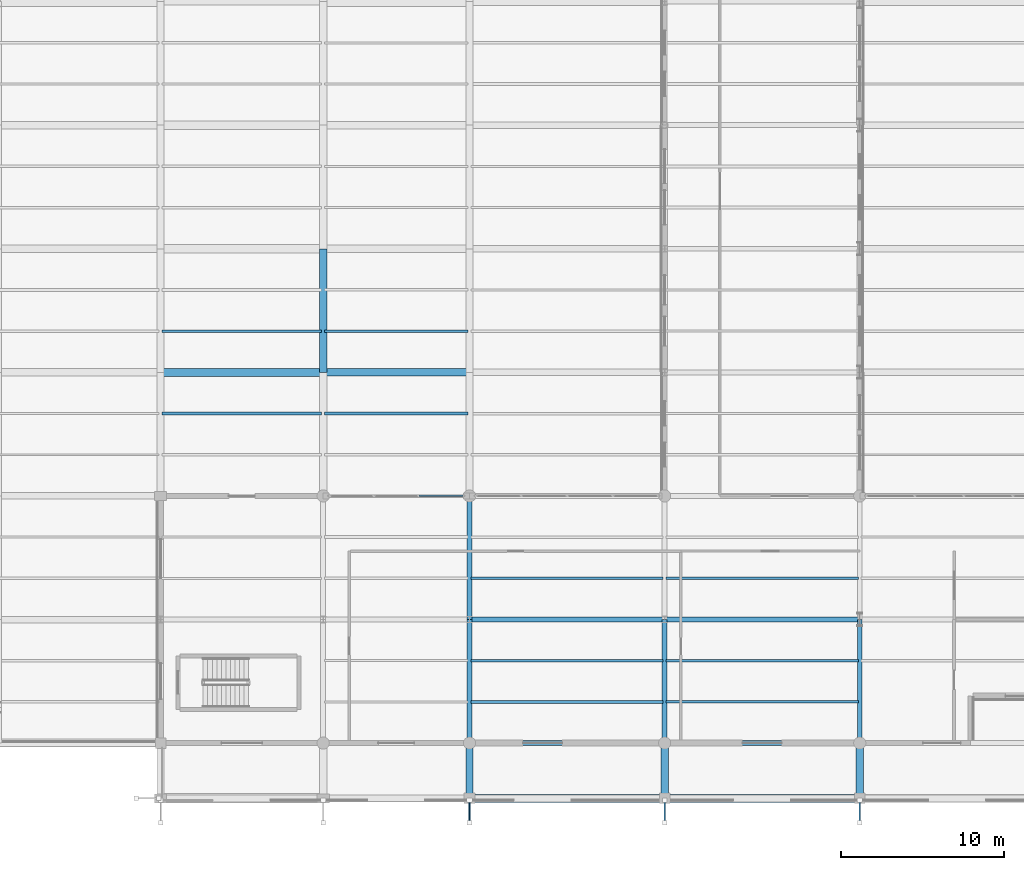
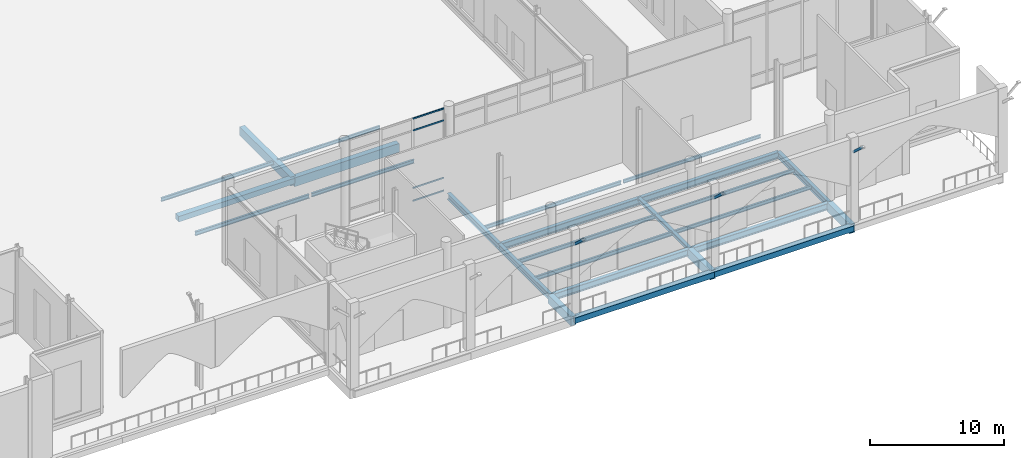
# One storey, part 81 of 176: 26 beams, 7 members, 1 element without a shape of its own.
"""IFC4 building model written with IfcOpenShell, lengths in metres."""

from ifc_helpers import new_model, si_unit, direction, frame, origin, origin_2d, place, context, subcontext, project, spatial, rectangle, hollow_rectangle, i_section, extrude, material, layer, layer_set, material_profile, profile_set, type_object, element, aggregate, save


model = new_model("IFC4")

# Units and contexts
model_context = context("Model", 3, precision=1e-05, world=origin(), true_north=direction((0.0, 1.0)))
body_context = subcontext(model_context, "Body", "Model", "MODEL_VIEW")
ifc_project = project(units=[si_unit("LENGTHUNIT", "METRE"), si_unit("AREAUNIT", "SQUARE_METRE"), si_unit("VOLUMEUNIT", "CUBIC_METRE"), si_unit("PLANEANGLEUNIT", "RADIAN"), si_unit("MASSUNIT", "GRAM", prefix="KILO")], contexts=[model_context])

# Site, building, storey
site_placement = place(None, origin())
site = spatial("IfcSite", under=ifc_project, at=site_placement, CompositionType="ELEMENT")
building_placement = place(site_placement, origin())
building = spatial("IfcBuilding", under=site, at=building_placement, Name="Vekula Escarpment Museum", CompositionType="ELEMENT")
storey_placement = place(building_placement, origin())
storey = spatial("IfcBuildingStorey", under=building, at=storey_placement, Name="L01", CompositionType="ELEMENT", Elevation=0.0)

# Beams
ifc_material_1 = material(Name="Steel S355", Category="steel")
ifc_material_profile_1 = material_profile(ifc_material_1, i_section(OverallWidth=0.300048828125, OverallDepth=0.550048828125, WebThickness=0.014892578125, FlangeThickness=0.029052734375, FilletRadius=0.027099609375, at=origin_2d()), Name="HEB 550")
ifc_profile_set_1 = profile_set([ifc_material_profile_1], Name="Steel S355")
beam_type_1 = type_object("IfcBeamType", Name="BM-GIRD-HEB550", PredefinedType="BEAM", material=ifc_profile_set_1)
beam_1_placement = place(storey_placement, frame((155.0, 0.0, -0.574951171875), z_axis=(0.0, 1.0, 0.0), x_axis=(-1.0, 0.0, 0.0)))
element("IfcBeam", 1, at=beam_1_placement, inside=storey, type_object=beam_type_1, Name="Beam Y L01 0706", PredefinedType="BEAM", context=body_context, shape_type="SweptSolid", body=[
    extrude(i_section(OverallWidth=0.300048828125, OverallDepth=0.550048828125, WebThickness=0.014892578125, FlangeThickness=0.029052734375, FilletRadius=0.027099609375, at=origin_2d()), origin(), (0.0, 0.0, 1.0), 7.60009765625),
])
beam_2_placement = place(storey_placement, frame((155.0, 7.60009765625, -0.574951171875), z_axis=(0.0, 1.0, 0.0), x_axis=(-1.0, 0.0, 0.0)))
element("IfcBeam", 2, at=beam_2_placement, inside=storey, type_object=beam_type_1, Name="Beam Y L01 0707", PredefinedType="BEAM", context=body_context, shape_type="SweptSolid", body=[
    extrude(i_section(OverallWidth=0.300048828125, OverallDepth=0.550048828125, WebThickness=0.014892578125, FlangeThickness=0.029052734375, FilletRadius=0.027099609375, at=origin_2d()), origin(), (0.0, 0.0, 1.0), 7.599853515625),
])
beam_3_placement = place(storey_placement, frame((179.0, 0.0, -0.574951171875), z_axis=(0.0, 1.0, 0.0), x_axis=(-1.0, 0.0, 0.0)))
element("IfcBeam", 3, at=beam_3_placement, inside=storey, type_object=beam_type_1, Name="Beam Y L01 0744", PredefinedType="BEAM", context=body_context, shape_type="SweptSolid", body=[
    extrude(i_section(OverallWidth=0.300048828125, OverallDepth=0.550048828125, WebThickness=0.014892578125, FlangeThickness=0.029052734375, FilletRadius=0.027099609375, at=origin_2d()), origin(), (0.0, 0.0, 1.0), 7.60009765625),
])
ifc_material_2 = material(Name="Steel S355", Category="steel")
ifc_material_profile_2 = material_profile(ifc_material_2, i_section(OverallWidth=0.300048828125, OverallDepth=0.60009765625, WebThickness=0.015380859375, FlangeThickness=0.030029296875, FilletRadius=0.027099609375, at=origin_2d()), Name="HEB 600")
ifc_profile_set_2 = profile_set([ifc_material_profile_2], Name="Steel S355")
beam_type_2 = type_object("IfcBeamType", Name="BM-GIRD-HEB600", PredefinedType="BEAM", material=ifc_profile_set_2)
for number, where, z_axis, x_axis, name in (
    (4, (155.0, 0.0, -0.60009765625), (1.0, 0.0, 0.0), (0.0, 1.0, 0.0), "Beam X L01 0027"),
    (5, (167.0, 0.0, -0.60009765625), (1.0, 0.0, 0.0), (0.0, 1.0, 0.0), "Beam X L01 0028"),
    (6, (155.0, 7.60009765625, -0.60009765625), (1.0, 0.0, 0.0), (0.0, 1.0, 0.0), "Beam X L01 0046"),
    (7, (167.0, 7.60009765625, -0.60009765625), (1.0, 0.0, 0.0), (0.0, 1.0, 0.0), "Beam X L01 0047"),
):
    element("IfcBeam", number, at=place(storey_placement, frame(where, z_axis=z_axis, x_axis=x_axis)), inside=storey, type_object=beam_type_2, Name=name, PredefinedType="BEAM", context=body_context, shape_type="SweptSolid", body=[
        extrude(i_section(OverallWidth=0.300048828125, OverallDepth=0.60009765625, WebThickness=0.015380859375, FlangeThickness=0.030029296875, FilletRadius=0.027099609375, at=origin_2d()), origin(), (0.0, 0.0, 1.0), 12.0),
    ])
ifc_material_3 = material(Name="Steel S355", Category="steel")
ifc_material_profile_3 = material_profile(ifc_material_3, i_section(OverallWidth=0.14990234375, OverallDepth=0.300048828125, WebThickness=0.007080078125, FlangeThickness=0.0107421875, FilletRadius=0.014892578125, at=origin_2d()), Name="IPE 300")
ifc_profile_set_3 = profile_set([ifc_material_profile_3], Name="Steel S355")
beam_type_3 = type_object("IfcBeamType", Name="BM-JST-IPE300", PredefinedType="JOIST", material=ifc_profile_set_3)
beam_4_placement = place(storey_placement, frame((146.090087890625, 25.333251953125, -0.449951171875), z_axis=(1.0, 0.0, 0.0), x_axis=(0.0, 1.0, 0.0)))
element("IfcBeam", 8, at=beam_4_placement, inside=storey, type_object=beam_type_3, Name="Secondary Joist L01 0481", PredefinedType="JOIST", context=body_context, shape_type="SweptSolid", body=[
    extrude(i_section(OverallWidth=0.14990234375, OverallDepth=0.300048828125, WebThickness=0.007080078125, FlangeThickness=0.0107421875, FilletRadius=0.014892578125, at=origin_2d()), origin(), (0.0, 0.0, 1.0), 8.81982421875),
])
beam_5_placement = place(storey_placement, frame((167.090087890625, 10.13330078125, -0.449951171875), z_axis=(1.0, 0.0, 0.0), x_axis=(0.0, 1.0, 0.0)))
element("IfcBeam", 9, at=beam_5_placement, inside=storey, type_object=beam_type_3, Name="Secondary Joist L01 0541", PredefinedType="JOIST", context=body_context, shape_type="SweptSolid", body=[
    extrude(i_section(OverallWidth=0.14990234375, OverallDepth=0.300048828125, WebThickness=0.007080078125, FlangeThickness=0.0107421875, FilletRadius=0.014892578125, at=origin_2d()), origin(), (0.0, 0.0, 1.0), 11.81982421875),
])
ifc_material_4 = material(Name="Steel S355", Category="steel")
ifc_material_profile_4 = material_profile(ifc_material_4, i_section(OverallWidth=0.159912109375, OverallDepth=0.330078125, WebThickness=0.007568359375, FlangeThickness=0.011474609375, FilletRadius=0.01806640625, at=origin_2d()), Name="IPE 330")
ifc_profile_set_4 = profile_set([ifc_material_profile_4], Name="Steel S355")
beam_type_4 = type_object("IfcBeamType", Name="BM-JST-IPE330", PredefinedType="JOIST", material=ifc_profile_set_4)
beam_6_placement = place(storey_placement, frame((136.090087890625, 25.333251953125, -0.465087890625), z_axis=(1.0, 0.0, 0.0), x_axis=(0.0, 1.0, 0.0)))
element("IfcBeam", 10, at=beam_6_placement, inside=storey, type_object=beam_type_4, Name="Secondary Joist L01 0449", PredefinedType="JOIST", context=body_context, shape_type="SweptSolid", body=[
    extrude(i_section(OverallWidth=0.159912109375, OverallDepth=0.330078125, WebThickness=0.007568359375, FlangeThickness=0.011474609375, FilletRadius=0.01806640625, at=origin_2d()), origin(), (0.0, 0.0, 1.0), 9.81982421875),
])
beam_7_placement = place(storey_placement, frame((146.090087890625, 20.2666015625, -0.465087890625), z_axis=(1.0, 0.0, 0.0), x_axis=(0.0, 1.0, 0.0)))
element("IfcBeam", 11, at=beam_7_placement, inside=storey, type_object=beam_type_4, Name="Secondary Joist L01 0480", PredefinedType="JOIST", context=body_context, shape_type="SweptSolid", body=[
    extrude(i_section(OverallWidth=0.159912109375, OverallDepth=0.330078125, WebThickness=0.007568359375, FlangeThickness=0.011474609375, FilletRadius=0.01806640625, at=origin_2d()), origin(), (0.0, 0.0, 1.0), 8.81982421875),
])
for number, where, z_axis, x_axis, name in (
    (12, (155.090087890625, 10.13330078125, -0.465087890625), (1.0, 0.0, 0.0), (0.0, 1.0, 0.0), "Secondary Joist L01 0509"),
    (13, (167.090087890625, 2.533203125, -0.465087890625), (1.0, 0.0, 0.0), (0.0, 1.0, 0.0), "Secondary Joist L01 0539"),
    (14, (167.090087890625, 5.066650390625, -0.465087890625), (1.0, 0.0, 0.0), (0.0, 1.0, 0.0), "Secondary Joist L01 0540"),
):
    element("IfcBeam", number, at=place(storey_placement, frame(where, z_axis=z_axis, x_axis=x_axis)), inside=storey, type_object=beam_type_4, Name=name, PredefinedType="JOIST", context=body_context, shape_type="SweptSolid", body=[
        extrude(i_section(OverallWidth=0.159912109375, OverallDepth=0.330078125, WebThickness=0.007568359375, FlangeThickness=0.011474609375, FilletRadius=0.01806640625, at=origin_2d()), origin(), (0.0, 0.0, 1.0), 11.81982421875),
    ])
ifc_material_5 = material(Name="Steel S355", Category="steel")
ifc_material_profile_5 = material_profile(ifc_material_5, i_section(OverallWidth=0.169921875, OverallDepth=0.360107421875, WebThickness=0.008056640625, FlangeThickness=0.0126953125, FilletRadius=0.01806640625, at=origin_2d()), Name="IPE 360")
ifc_profile_set_5 = profile_set([ifc_material_profile_5], Name="Steel S355")
beam_type_5 = type_object("IfcBeamType", Name="BM-JST-IPE360", PredefinedType="JOIST", material=ifc_profile_set_5)
beam_8_placement = place(storey_placement, frame((136.090087890625, 20.2666015625, -0.47998046875), z_axis=(1.0, 0.0, 0.0), x_axis=(0.0, 1.0, 0.0)))
element("IfcBeam", 15, at=beam_8_placement, inside=storey, type_object=beam_type_5, Name="Secondary Joist L01 0448", PredefinedType="JOIST", context=body_context, shape_type="SweptSolid", body=[
    extrude(i_section(OverallWidth=0.169921875, OverallDepth=0.360107421875, WebThickness=0.008056640625, FlangeThickness=0.0126953125, FilletRadius=0.01806640625, at=origin_2d()), origin(), (0.0, 0.0, 1.0), 9.81982421875),
])
for number, where, z_axis, x_axis, name in (
    (16, (155.090087890625, 2.533203125, -0.47998046875), (1.0, 0.0, 0.0), (0.0, 1.0, 0.0), "Secondary Joist L01 0507"),
    (17, (155.090087890625, 5.066650390625, -0.47998046875), (1.0, 0.0, 0.0), (0.0, 1.0, 0.0), "Secondary Joist L01 0508"),
):
    element("IfcBeam", number, at=place(storey_placement, frame(where, z_axis=z_axis, x_axis=x_axis)), inside=storey, type_object=beam_type_5, Name=name, PredefinedType="JOIST", context=body_context, shape_type="SweptSolid", body=[
        extrude(i_section(OverallWidth=0.169921875, OverallDepth=0.360107421875, WebThickness=0.008056640625, FlangeThickness=0.0126953125, FilletRadius=0.01806640625, at=origin_2d()), origin(), (0.0, 0.0, 1.0), 11.81982421875),
    ])
ifc_material_6 = material(Name="Concrete C35/45", Category="concrete")
ifc_material_profile_6 = material_profile(ifc_material_6, rectangle(XDim=0.449951171875, YDim=0.800048828125, at=origin_2d()), Name="RC 450x800")
ifc_profile_set_6 = profile_set([ifc_material_profile_6], Name="Concrete C35/45")
beam_type_6 = type_object("IfcBeamType", Name="BM-PLINTH-RC", PredefinedType="BEAM", material=ifc_profile_set_6)
beam_9_placement = place(storey_placement, frame((146.0, 22.800048828125, -0.699951171875), z_axis=(1.0, 0.0, 0.0), x_axis=(0.0, 1.0, 0.0)))
element("IfcBeam", 18, at=beam_9_placement, inside=storey, type_object=beam_type_6, Name="Beam X L01 0080", PredefinedType="BEAM", context=body_context, shape_type="SweptSolid", body=[
    extrude(rectangle(XDim=0.449951171875, YDim=0.800048828125, at=origin_2d()), origin(), (0.0, 0.0, 1.0), 9.0),
])
beam_10_placement = place(storey_placement, frame((146.0, 22.800048828125, -0.699951171875), z_axis=(0.0, 1.0, 0.0), x_axis=(-1.0, 0.0, 0.0)))
element("IfcBeam", 19, at=beam_10_placement, inside=storey, type_object=beam_type_6, Name="Beam Y L01 0690", PredefinedType="BEAM", context=body_context, shape_type="SweptSolid", body=[
    extrude(rectangle(XDim=0.449951171875, YDim=0.800048828125, at=origin_2d()), origin(), (0.0, 0.0, 1.0), 7.599853515625),
])
for number, where, z_axis, x_axis, name in (
    (20, (155.0, -3.39990234375, -0.699951171875), (0.0, 1.0, 0.0), (-1.0, 0.0, 0.0), "Beam Y L01 0705"),
    (21, (167.0, -3.39990234375, -0.699951171875), (0.0, 1.0, 0.0), (-1.0, 0.0, 0.0), "Beam Y L01 0724"),
    (22, (179.0, -3.39990234375, -0.699951171875), (0.0, 1.0, 0.0), (-1.0, 0.0, 0.0), "Beam Y L01 0743"),
):
    element("IfcBeam", number, at=place(storey_placement, frame(where, z_axis=z_axis, x_axis=x_axis)), inside=storey, type_object=beam_type_6, Name=name, PredefinedType="BEAM", context=body_context, shape_type="SweptSolid", body=[
        extrude(rectangle(XDim=0.449951171875, YDim=0.800048828125, at=origin_2d()), origin(), (0.0, 0.0, 1.0), 3.39990234375),
    ])
ifc_material_7 = material(Name="Concrete C35/45", Category="concrete")
ifc_material_profile_7 = material_profile(ifc_material_7, rectangle(XDim=0.5, YDim=0.5, at=origin_2d()), Name="RC 500x500")
ifc_profile_set_7 = profile_set([ifc_material_profile_7], Name="Concrete C35/45")
beam_type_7 = type_object("IfcBeamType", Name="BM-PLINTH-RC3", PredefinedType="BEAM", material=ifc_profile_set_7)
for number, where, z_axis, x_axis, name in (
    (23, (155.0, -3.39990234375, -0.550048828125), (1.0, 0.0, 0.0), (0.0, 1.0, 0.0), "Beam X L01 0003"),
    (24, (167.0, -3.39990234375, -0.550048828125), (1.0, 0.0, 0.0), (0.0, 1.0, 0.0), "Beam X L01 0004"),
):
    element("IfcBeam", number, at=place(storey_placement, frame(where, z_axis=z_axis, x_axis=x_axis)), inside=storey, type_object=beam_type_7, Name=name, PredefinedType="BEAM", context=body_context, shape_type="SweptSolid", body=[
        extrude(rectangle(XDim=0.5, YDim=0.5, at=origin_2d()), origin(), (0.0, 0.0, 1.0), 12.0),
    ])
beam_11_placement = place(storey_placement, frame((136.0, 22.800048828125, -0.550048828125), z_axis=(1.0, 0.0, 0.0), x_axis=(0.0, 1.0, 0.0)))
element("IfcBeam", 25, at=beam_11_placement, inside=storey, type_object=beam_type_7, Name="Beam X L01 0079", PredefinedType="BEAM", context=body_context, shape_type="SweptSolid", body=[
    extrude(rectangle(XDim=0.5, YDim=0.5, at=origin_2d()), origin(), (0.0, 0.0, 1.0), 10.0),
])
ifc_material_8 = material(Name="Steel S355", Category="steel")
ifc_material_profile_8 = material_profile(ifc_material_8, i_section(OverallWidth=0.300048828125, OverallDepth=0.2900390625, WebThickness=0.008544921875, FlangeThickness=0.013916015625, FilletRadius=0.027099609375, at=origin_2d()), Name="HEA 300")
ifc_profile_set_8 = profile_set([ifc_material_profile_8], Name="Steel S355")
beam_type_8 = type_object("IfcBeamType", Name="BM-SPAN-HEA300", PredefinedType="SPANDREL", material=ifc_profile_set_8)
beam_12_placement = place(storey_placement, frame((167.0, 0.0, -0.445068359375), z_axis=(0.0, 1.0, 0.0), x_axis=(-1.0, 0.0, 0.0)))
element("IfcBeam", 26, at=beam_12_placement, inside=storey, type_object=beam_type_8, Name="Beam Y L01 0725", PredefinedType="SPANDREL", context=body_context, shape_type="SweptSolid", body=[
    extrude(i_section(OverallWidth=0.300048828125, OverallDepth=0.2900390625, WebThickness=0.008544921875, FlangeThickness=0.013916015625, FilletRadius=0.027099609375, at=origin_2d()), origin(), (0.0, 0.0, 1.0), 7.60009765625),
])

# Curtain wall, members
ifc_material_9 = material(Name="Aluminium thermally broken framing", Category="aluminium")
ifc_layer = layer(ifc_material_9, 0.179931640625)
ifc_layer_set = layer_set([ifc_layer], Name="Aluminium thermally broken framing")
curtain_wall_type = type_object("IfcCurtainWallType", Name="CW-SYS-07", PredefinedType="NOTDEFINED", material=ifc_layer_set)
curtain_wall_placement = place(storey_placement, origin())
curtain_wall = element("IfcCurtainWall", 27, at=curtain_wall_placement, inside=storey, type_object=curtain_wall_type, Name="Curtain Wall CW-L01-017", PredefinedType="NOTDEFINED")
ifc_material_10 = material(Name="Aluminium anodized transom", Category="aluminium")
ifc_material_profile_9 = material_profile(ifc_material_10, hollow_rectangle(XDim=0.06494140625, YDim=0.139892578125, WallThickness=0.00390625, InnerFilletRadius=0.00390625, OuterFilletRadius=0.008056640625, at=origin_2d()), Name="ALU 140x65x4")
ifc_profile_set_9 = profile_set([ifc_material_profile_9], Name="Aluminium anodized transom")
member_type_1 = type_object("IfcMemberType", Name="CW-TRN-140", PredefinedType="USERDEFINED", material=ifc_profile_set_9)
member_1_placement = place(storey_placement, frame((154.574951171875, 15.199951171875, 0.032470703125), z_axis=(-1.0, 0.0, 0.0), x_axis=(0.0, -1.0, 0.0)))
member_1 = element("IfcMember", 28, at=member_1_placement, type_object=member_type_1, Name="CW-07 transom 1.1", ObjectType="TRANSOM", PredefinedType="USERDEFINED", context=body_context, shape_type="SweptSolid", body=[
    extrude(hollow_rectangle(XDim=0.06494140625, YDim=0.139892578125, WallThickness=0.00390625, InnerFilletRadius=0.00390625, OuterFilletRadius=0.008056640625, at=origin_2d()), origin(), (0.0, 0.0, 1.0), 2.662353515625),
])
member_2_placement = place(storey_placement, frame((154.574951171875, 15.199951171875, 1.199951171875), z_axis=(-1.0, 0.0, 0.0), x_axis=(0.0, -1.0, 0.0)))
member_2 = element("IfcMember", 29, at=member_2_placement, type_object=member_type_1, Name="CW-07 transom 1.2", ObjectType="TRANSOM", PredefinedType="USERDEFINED", context=body_context, shape_type="SweptSolid", body=[
    extrude(hollow_rectangle(XDim=0.06494140625, YDim=0.139892578125, WallThickness=0.00390625, InnerFilletRadius=0.00390625, OuterFilletRadius=0.008056640625, at=origin_2d()), origin(), (0.0, 0.0, 1.0), 2.662353515625),
])
member_3_placement = place(storey_placement, frame((154.574951171875, 15.199951171875, 6.43994140625), z_axis=(-1.0, 0.0, 0.0), x_axis=(0.0, -1.0, 0.0)))
member_3 = element("IfcMember", 30, at=member_3_placement, type_object=member_type_1, Name="CW-07 transom 1.3", ObjectType="TRANSOM", PredefinedType="USERDEFINED", context=body_context, shape_type="SweptSolid", body=[
    extrude(hollow_rectangle(XDim=0.06494140625, YDim=0.139892578125, WallThickness=0.00390625, InnerFilletRadius=0.00390625, OuterFilletRadius=0.008056640625, at=origin_2d()), origin(), (0.0, 0.0, 1.0), 2.662353515625),
])
member_4_placement = place(storey_placement, frame((154.574951171875, 15.199951171875, 7.507568359375), z_axis=(-1.0, 0.0, 0.0), x_axis=(0.0, -1.0, 0.0)))
member_4 = element("IfcMember", 31, at=member_4_placement, type_object=member_type_1, Name="CW-07 transom 1.4", ObjectType="TRANSOM", PredefinedType="USERDEFINED", context=body_context, shape_type="SweptSolid", body=[
    extrude(hollow_rectangle(XDim=0.06494140625, YDim=0.139892578125, WallThickness=0.00390625, InnerFilletRadius=0.00390625, OuterFilletRadius=0.008056640625, at=origin_2d()), origin(), (0.0, 0.0, 1.0), 2.662353515625),
])
aggregate(curtain_wall, [member_1, member_2, member_3, member_4])

# Members
ifc_material_11 = material(Name="Steel S355", Category="steel")
ifc_material_profile_10 = material_profile(ifc_material_11, hollow_rectangle(XDim=0.10009765625, YDim=0.199951171875, WallThickness=0.008056640625, InnerFilletRadius=0.008056640625, OuterFilletRadius=0.01611328125, at=origin_2d()), Name="RHS 200x100x8")
ifc_profile_set_10 = profile_set([ifc_material_profile_10], Name="Steel S355")
member_type_2 = type_object("IfcMemberType", Name="MB-SACAK-BRK", PredefinedType="STRUT", material=ifc_profile_set_10)
for number, where, z_axis, x_axis, name in (
    (32, (155.0, -3.52001953125, 6.35009765625), (0.0, -0.738454378718, 0.674303441006), (1.0, 0.0, 0.0), "Ottoman Sacak Eave Bracket L02-0023"),
    (33, (167.0, -3.52001953125, 6.35009765625), (0.0, -0.738454378718, 0.674303441006), (1.0, 0.0, 0.0), "Ottoman Sacak Eave Bracket L02-0024"),
    (34, (179.0, -3.52001953125, 6.35009765625), (0.0, -0.738454378718, 0.674303441006), (1.0, 0.0, 0.0), "Ottoman Sacak Eave Bracket L02-0025"),
):
    element("IfcMember", number, at=place(storey_placement, frame(where, z_axis=z_axis, x_axis=x_axis)), inside=storey, type_object=member_type_2, Name=name, PredefinedType="STRUT", context=body_context, shape_type="SweptSolid", body=[
        extrude(hollow_rectangle(XDim=0.10009765625, YDim=0.199951171875, WallThickness=0.008056640625, InnerFilletRadius=0.008056640625, OuterFilletRadius=0.01611328125, at=origin_2d()), origin(), (0.0, 0.0, 1.0), 1.86865234375),
    ])

save(model, "model.ifc")
